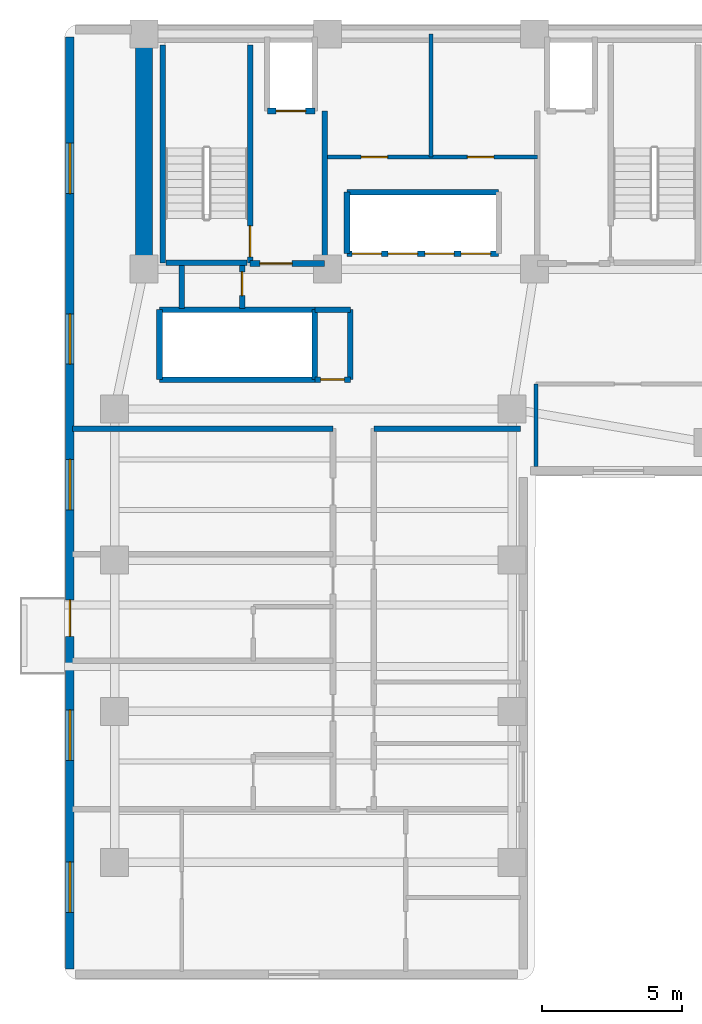
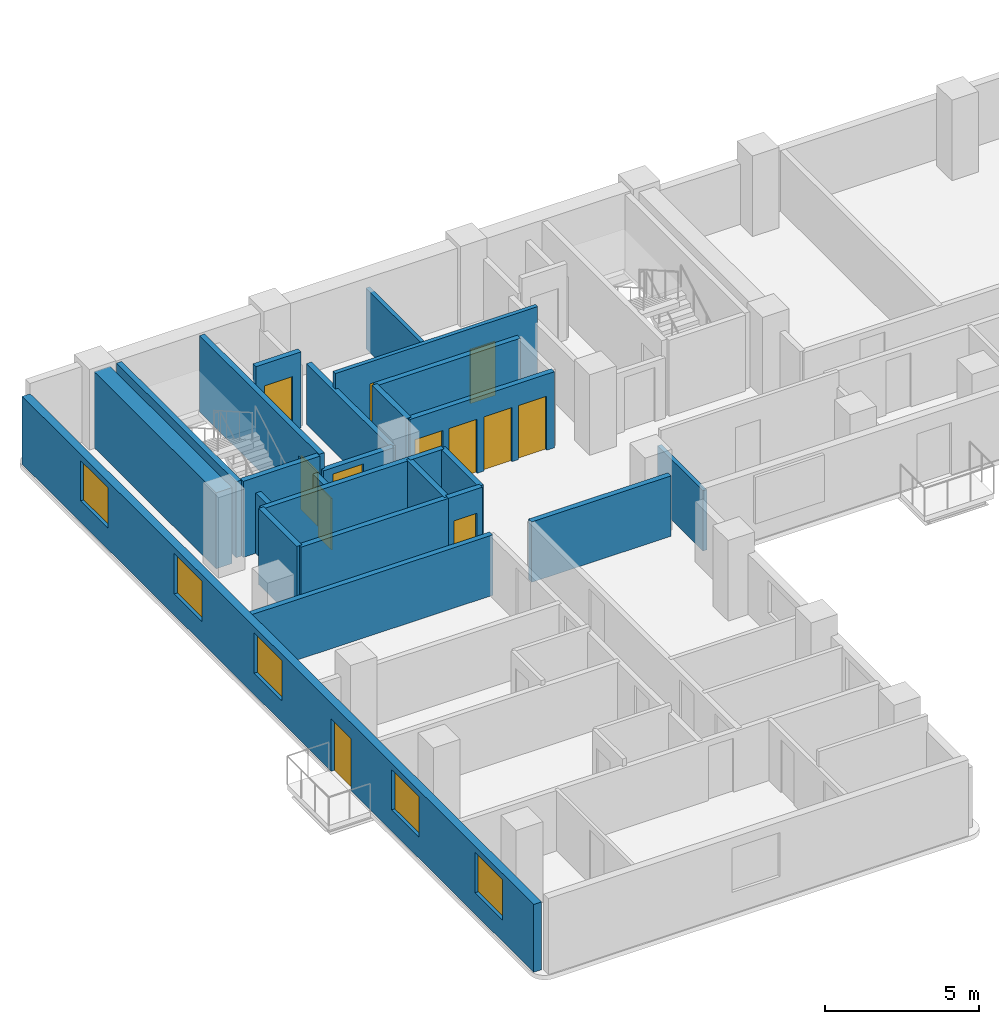
# One storey, part 3 of 7: 25 walls, 12 doors, 5 windows, 17 openings.
"""IFC4 building model written with IfcOpenShell, lengths in metres."""

from ifc_helpers import new_model, si_unit, direction, frame, frame_2d, origin, place, context, subcontext, project, spatial, rectangle, extrude, material, layer, layer_set, type_object, element, fill, save


model = new_model("IFC4")

# Units and contexts
model_context = context("Model", 3, precision=1e-05, world=origin(), true_north=direction((0.0, 1.0)))
body_context = subcontext(model_context, "Body", "Model", "MODEL_VIEW")
ifc_project = project(units=[si_unit("LENGTHUNIT", "METRE"), si_unit("AREAUNIT", "SQUARE_METRE"), si_unit("VOLUMEUNIT", "CUBIC_METRE"), si_unit("PLANEANGLEUNIT", "RADIAN"), si_unit("MASSUNIT", "GRAM", prefix="KILO")], contexts=[model_context])

# Site, building, storey
site_placement = place(None, origin())
site = spatial("IfcSite", under=ifc_project, at=site_placement, CompositionType="ELEMENT")
building_placement = place(site_placement, origin())
building = spatial("IfcBuilding", under=site, at=building_placement, Name="Kuzgunbayir Cultural Tower", CompositionType="ELEMENT")
storey_placement = place(building_placement, frame((0.0, 0.0, 110.60009765625)))
storey = spatial("IfcBuildingStorey", under=building, at=storey_placement, Name="L31", CompositionType="ELEMENT", Elevation=110.60009765625)

# Wall
ifc_material_1 = material(Name="Concrete C60/75", Category="concrete")
ifc_layer_1 = layer(ifc_material_1, 0.60009765625)
ifc_layer_set_1 = layer_set([ifc_layer_1], Name="Concrete C60/75")
wall_type_1 = type_object("IfcWallType", Name="WAL-CORE-600", PredefinedType="SHEAR", material=ifc_layer_set_1)
wall_1_placement = place(storey_placement, frame((6.449951171875, 33.800048828125, 0.0), z_axis=(0.0, 0.0, 1.0), x_axis=(0.0, 1.0, 0.0)))
element("IfcWall", 1, at=wall_1_placement, inside=storey, type_object=wall_type_1, Name="L31 T1 Core West Shear Wall", PredefinedType="SHEAR", context=body_context, shape_type="SweptSolid", body=[
    extrude(rectangle(XDim=7.949951171875, YDim=0.60009765625, at=frame_2d((3.97509765625, 0.0))), origin(), (0.0, 0.0, 1.0), 3.02001953125),
])

# Wall, openings, door, windows
ifc_material_2 = material(Name="Anatolian Cream Limestone", Category="masonry")
ifc_layer_2 = layer(ifc_material_2, 0.300048828125)
ifc_layer_set_2 = layer_set([ifc_layer_2], Name="Anatolian Cream Limestone")
wall_type_2 = type_object("IfcWallType", Name="WAL-EXT-STONE-300", PredefinedType="STANDARD", material=ifc_layer_set_2)
wall_2_placement = place(storey_placement, frame((3.800048828125, 42.10009765625, 0.0), z_axis=(0.0, 0.0, 1.0), x_axis=(0.0, -1.0, 0.0)))
wall_2 = element("IfcWall", 2, at=wall_2_placement, inside=storey, type_object=wall_type_2, Name="L31 Wing A West Limestone Wall", PredefinedType="STANDARD", context=body_context, shape_type="SweptSolid", body=[
    extrude(rectangle(XDim=33.300048828125, YDim=0.300048828125, at=frame_2d((16.64990234375, 0.0))), origin(), (0.0, 0.0, 1.0), 2.699951171875),
])
opening_1_placement = place(wall_2_placement, frame((20.1201171875, 0.0, 0.0)))
opening_1 = element("IfcOpeningElement", 3, at=opening_1_placement, cuts=wall_2, Name="Opening BD-13", PredefinedType="OPENING", context=body_context, shape_type="SweptSolid", body=[
    extrude(rectangle(XDim=1.300048828125, YDim=2.080078125, at=frame_2d((0.64990234375, 1.0400390625))), frame((0.0, 0.16015625, 0.0), z_axis=(0.0, -1.0, 0.0), x_axis=(1.0, 0.0, 0.0)), (0.0, 0.0, 1.0), 0.320068359375),
])
opening_2_placement = place(wall_2_placement, frame((24.050048828125, 0.0, 0.85009765625)))
opening_2 = element("IfcOpeningElement", 4, at=opening_2_placement, cuts=wall_2, Name="Opening WH-18", PredefinedType="OPENING", context=body_context, shape_type="SweptSolid", body=[
    extrude(rectangle(XDim=1.800048828125, YDim=1.60009765625, at=frame_2d((0.89990234375, 0.800048828125))), frame((0.0, 0.16015625, 0.0), z_axis=(0.0, -1.0, 0.0), x_axis=(1.0, 0.0, 0.0)), (0.0, 0.0, 1.0), 0.320068359375),
])
opening_3_placement = place(wall_2_placement, frame((29.47998046875, 0.0, 0.85009765625)))
opening_3 = element("IfcOpeningElement", 5, at=opening_3_placement, cuts=wall_2, Name="Opening WH-18", PredefinedType="OPENING", context=body_context, shape_type="SweptSolid", body=[
    extrude(rectangle(XDim=1.800048828125, YDim=1.60009765625, at=frame_2d((0.89990234375, 0.800048828125))), frame((0.0, 0.16015625, 0.0), z_axis=(0.0, -1.0, 0.0), x_axis=(1.0, 0.0, 0.0)), (0.0, 0.0, 1.0), 0.320068359375),
])
opening_4_placement = place(wall_2_placement, frame((15.10009765625, 0.0, 0.85009765625)))
opening_4 = element("IfcOpeningElement", 6, at=opening_4_placement, cuts=wall_2, Name="Opening WH-18", PredefinedType="OPENING", context=body_context, shape_type="SweptSolid", body=[
    extrude(rectangle(XDim=1.800048828125, YDim=1.60009765625, at=frame_2d((0.89990234375, 0.800048828125))), frame((0.0, 0.16015625, 0.0), z_axis=(0.0, -1.0, 0.0), x_axis=(1.0, 0.0, 0.0)), (0.0, 0.0, 1.0), 0.320068359375),
])
opening_5_placement = place(wall_2_placement, frame((9.89990234375, 0.0, 0.85009765625)))
opening_5 = element("IfcOpeningElement", 7, at=opening_5_placement, cuts=wall_2, Name="Opening WH-18", PredefinedType="OPENING", context=body_context, shape_type="SweptSolid", body=[
    extrude(rectangle(XDim=1.800048828125, YDim=1.60009765625, at=frame_2d((0.89990234375, 0.800048828125))), frame((0.0, 0.16015625, 0.0), z_axis=(0.0, -1.0, 0.0), x_axis=(1.0, 0.0, 0.0)), (0.0, 0.0, 1.0), 0.320068359375),
])
opening_6_placement = place(wall_2_placement, frame((3.800048828125, 0.0, 0.85009765625)))
opening_6 = element("IfcOpeningElement", 8, at=opening_6_placement, cuts=wall_2, Name="Opening WH-18", PredefinedType="OPENING", context=body_context, shape_type="SweptSolid", body=[
    extrude(rectangle(XDim=1.800048828125, YDim=1.60009765625, at=frame_2d((0.89990234375, 0.800048828125))), frame((0.0, 0.16015625, 0.0), z_axis=(0.0, -1.0, 0.0), x_axis=(1.0, 0.0, 0.0)), (0.0, 0.0, 1.0), 0.320068359375),
])
ifc_material_3 = material(Name="Thermally Broken Glazed Aluminium", Category="aluminium")
door_type_1 = type_object("IfcDoorType", Name="DR-BALCONY-135", OperationType="SLIDING_TO_LEFT", PredefinedType="DOOR", material=ifc_material_3)
door_1_placement = place(opening_1_placement, origin())
door_1 = element("IfcDoor", 9, at=door_1_placement, inside=storey, type_object=door_type_1, Name="L31 West Balcony Sliding Door BAL-L31-WA2", OperationType="SLIDING_TO_LEFT", OverallHeight=2.080078125, OverallWidth=1.300048828125, PredefinedType="DOOR", context=body_context, shape_type="SweptSolid", body=[
    extrude(rectangle(XDim=1.300048828125, YDim=2.080078125, at=frame_2d((0.64990234375, 1.0400390625))), frame((0.0, 0.02490234375, 0.0), z_axis=(0.0, -1.0, 0.0), x_axis=(1.0, 0.0, 0.0)), (0.0, 0.0, 1.0), 0.050048828125),
])
fill(opening_1, door_1)
ifc_material_4 = material(Name="Solar-Control Triple Glazing", Category="glass")
window_type = type_object("IfcWindowType", Name="WIN-HOTEL-18", PartitioningType="SINGLE_PANEL", PredefinedType="WINDOW", material=ifc_material_4)
window_1_placement = place(opening_2_placement, origin())
window_1 = element("IfcWindow", 10, at=window_1_placement, inside=storey, type_object=window_type, Name="L31 WAW Facade Window 1", OverallHeight=1.60009765625, OverallWidth=1.800048828125, PartitioningType="SINGLE_PANEL", PredefinedType="WINDOW", context=body_context, shape_type="SweptSolid", body=[
    extrude(rectangle(XDim=1.800048828125, YDim=1.60009765625, at=frame_2d((0.89990234375, 0.800048828125))), frame((0.0, 0.030029296875, 0.0), z_axis=(0.0, -1.0, 0.0), x_axis=(1.0, 0.0, 0.0)), (0.0, 0.0, 1.0), 0.06005859375),
])
fill(opening_2, window_1)
window_2_placement = place(opening_3_placement, origin())
window_2 = element("IfcWindow", 11, at=window_2_placement, inside=storey, type_object=window_type, Name="L31 WAW Facade Window 2", OverallHeight=1.60009765625, OverallWidth=1.800048828125, PartitioningType="SINGLE_PANEL", PredefinedType="WINDOW", context=body_context, shape_type="SweptSolid", body=[
    extrude(rectangle(XDim=1.800048828125, YDim=1.60009765625, at=frame_2d((0.89990234375, 0.800048828125))), frame((0.0, 0.030029296875, 0.0), z_axis=(0.0, -1.0, 0.0), x_axis=(1.0, 0.0, 0.0)), (0.0, 0.0, 1.0), 0.06005859375),
])
fill(opening_3, window_2)
window_3_placement = place(opening_4_placement, origin())
window_3 = element("IfcWindow", 12, at=window_3_placement, inside=storey, type_object=window_type, Name="L31 WAW Facade Window 6", OverallHeight=1.60009765625, OverallWidth=1.800048828125, PartitioningType="SINGLE_PANEL", PredefinedType="WINDOW", context=body_context, shape_type="SweptSolid", body=[
    extrude(rectangle(XDim=1.800048828125, YDim=1.60009765625, at=frame_2d((0.89990234375, 0.800048828125))), frame((0.0, 0.030029296875, 0.0), z_axis=(0.0, -1.0, 0.0), x_axis=(1.0, 0.0, 0.0)), (0.0, 0.0, 1.0), 0.06005859375),
])
fill(opening_4, window_3)
window_4_placement = place(opening_5_placement, origin())
window_4 = element("IfcWindow", 13, at=window_4_placement, inside=storey, type_object=window_type, Name="L31 WAW Facade Window 7", OverallHeight=1.60009765625, OverallWidth=1.800048828125, PartitioningType="SINGLE_PANEL", PredefinedType="WINDOW", context=body_context, shape_type="SweptSolid", body=[
    extrude(rectangle(XDim=1.800048828125, YDim=1.60009765625, at=frame_2d((0.89990234375, 0.800048828125))), frame((0.0, 0.030029296875, 0.0), z_axis=(0.0, -1.0, 0.0), x_axis=(1.0, 0.0, 0.0)), (0.0, 0.0, 1.0), 0.06005859375),
])
fill(opening_5, window_4)
window_5_placement = place(opening_6_placement, origin())
window_5 = element("IfcWindow", 14, at=window_5_placement, inside=storey, type_object=window_type, Name="L31 WAW Facade Window 8", OverallHeight=1.60009765625, OverallWidth=1.800048828125, PartitioningType="SINGLE_PANEL", PredefinedType="WINDOW", context=body_context, shape_type="SweptSolid", body=[
    extrude(rectangle(XDim=1.800048828125, YDim=1.60009765625, at=frame_2d((0.89990234375, 0.800048828125))), frame((0.0, 0.030029296875, 0.0), z_axis=(0.0, -1.0, 0.0), x_axis=(1.0, 0.0, 0.0)), (0.0, 0.0, 1.0), 0.06005859375),
])
fill(opening_6, window_5)

# Wall, openings, doors
ifc_material_5 = material(Name="Acoustic Double-Stud Drywall", Category="gypsum")
ifc_layer_3 = layer(ifc_material_5, 0.14990234375)
ifc_layer_set_3 = layer_set([ifc_layer_3], Name="Acoustic Double-Stud Drywall")
wall_type_3 = type_object("IfcWallType", Name="WAL-PART-ACOUSTIC-150", PredefinedType="PARTITIONING", material=ifc_layer_set_3)
wall_3_placement = place(storey_placement, frame((12.89990234375, 37.800048828125, 0.0), z_axis=(0.0, 0.0, 1.0), x_axis=(1.0, 0.0, 0.0)))
wall_3 = element("IfcWall", 15, at=wall_3_placement, inside=storey, type_object=wall_type_3, Name="L31 Repurposed Core Suite Wall", PredefinedType="PARTITIONING", context=body_context, shape_type="SweptSolid", body=[
    extrude(rectangle(XDim=7.60009765625, YDim=0.14990234375, at=frame_2d((3.800048828125, 0.0))), origin(), (0.0, 0.0, 1.0), 3.02001953125),
])
opening_7_placement = place(wall_3_placement, frame((1.300048828125, 0.0, 0.0)))
opening_7 = element("IfcOpeningElement", 16, at=opening_7_placement, cuts=wall_3, Name="Opening DC-95", PredefinedType="OPENING", context=body_context, shape_type="SweptSolid", body=[
    extrude(rectangle(XDim=0.949951171875, YDim=2.14990234375, at=frame_2d((0.47509765625, 1.074951171875))), frame((0.0, 0.0849609375, 0.0), z_axis=(0.0, -1.0, 0.0), x_axis=(1.0, 0.0, 0.0)), (0.0, 0.0, 1.0), 0.169921875),
])
opening_8_placement = place(wall_3_placement, frame((5.10009765625, 0.0, 0.0)))
opening_8 = element("IfcOpeningElement", 17, at=opening_8_placement, cuts=wall_3, Name="Opening DC-95", PredefinedType="OPENING", context=body_context, shape_type="SweptSolid", body=[
    extrude(rectangle(XDim=0.949951171875, YDim=2.14990234375, at=frame_2d((0.47509765625, 1.074951171875))), frame((0.0, 0.0849609375, 0.0), z_axis=(0.0, -1.0, 0.0), x_axis=(1.0, 0.0, 0.0)), (0.0, 0.0, 1.0), 0.169921875),
])
ifc_material_6 = material(Name="Fire-Rated Veneered Oak Leaf", Category="wood")
door_type_2 = type_object("IfcDoorType", Name="DR-CORE-95", OperationType="NOTDEFINED", PredefinedType="DOOR", material=ifc_material_6)
door_2_placement = place(opening_7_placement, origin())
door_2 = element("IfcDoor", 18, at=door_2_placement, inside=storey, type_object=door_type_2, Name="L31 Focus Room Door", OperationType="SINGLE_SWING_LEFT", OverallHeight=2.14990234375, OverallWidth=0.949951171875, PredefinedType="DOOR", context=body_context, shape_type="SweptSolid", body=[
    extrude(rectangle(XDim=0.949951171875, YDim=2.14990234375, at=frame_2d((0.47509765625, 1.074951171875))), frame((0.0, 0.02490234375, 0.0), z_axis=(0.0, -1.0, 0.0), x_axis=(1.0, 0.0, 0.0)), (0.0, 0.0, 1.0), 0.050048828125),
])
fill(opening_7, door_2)
door_3_placement = place(opening_8_placement, origin())
door_3 = element("IfcDoor", 19, at=door_3_placement, inside=storey, type_object=door_type_2, Name="L31 Core Linen Room Door", OperationType="SINGLE_SWING_RIGHT", OverallHeight=2.14990234375, OverallWidth=0.949951171875, PredefinedType="DOOR", context=body_context, shape_type="SweptSolid", body=[
    extrude(rectangle(XDim=0.949951171875, YDim=2.14990234375, at=frame_2d((0.47509765625, 1.074951171875))), frame((0.0, 0.02490234375, 0.0), z_axis=(0.0, -1.0, 0.0), x_axis=(1.0, 0.0, 0.0)), (0.0, 0.0, 1.0), 0.050048828125),
])
fill(opening_8, door_3)

# Walls
wall_4_placement = place(storey_placement, frame((16.699951171875, 37.800048828125, 0.0), z_axis=(0.0, 0.0, 1.0), x_axis=(0.0, 1.0, 0.0)))
element("IfcWall", 20, at=wall_4_placement, inside=storey, type_object=wall_type_3, Name="L31 Core Study Partition", PredefinedType="PARTITIONING", context=body_context, shape_type="SweptSolid", body=[
    extrude(rectangle(XDim=4.39990234375, YDim=0.14990234375, at=frame_2d((2.199951171875, 0.0))), origin(), (0.0, 0.0, 1.0), 2.39990234375),
])
wall_5_placement = place(storey_placement, frame((20.449951171875, 26.75, 0.0), z_axis=(0.0, 0.0, 1.0), x_axis=(0.0, 1.0, 0.0)))
element("IfcWall", 21, at=wall_5_placement, inside=storey, type_object=wall_type_3, Name="L31 Waist Alcove West Wall", PredefinedType="PARTITIONING", context=body_context, shape_type="SweptSolid", body=[
    extrude(rectangle(XDim=2.949951171875, YDim=0.14990234375, at=frame_2d((1.47509765625, 0.0))), origin(), (0.0, 0.0, 1.0), 2.39990234375),
])
ifc_material_7 = material(Name="Aerated Concrete Blockwork", Category="masonry")
ifc_layer_4 = layer(ifc_material_7, 0.199951171875)
ifc_layer_set_4 = layer_set([ifc_layer_4], Name="Aerated Concrete Blockwork")
wall_type_4 = type_object("IfcWallType", Name="WAL-PART-FIRE-200", PredefinedType="PARTITIONING", material=ifc_layer_set_4)
wall_6_placement = place(storey_placement, frame((12.89990234375, 34.0, 0.0), z_axis=(0.0, 0.0, 1.0), x_axis=(0.0, 1.0, 0.0)))
element("IfcWall", 22, at=wall_6_placement, inside=storey, type_object=wall_type_4, Name="L31 FFL-1 Lobby East Fire Wall", PredefinedType="PARTITIONING", context=body_context, shape_type="SweptSolid", body=[
    extrude(rectangle(XDim=5.449951171875, YDim=0.199951171875, at=frame_2d((2.72509765625, 0.0))), origin(), (0.0, 0.0, 1.0), 2.39990234375),
])

# Wall, opening, door
wall_7_placement = place(storey_placement, frame((10.239990234375, 34.0, 0.0), z_axis=(0.0, 0.0, 1.0), x_axis=(1.0, 0.0, 0.0)))
wall_7 = element("IfcWall", 23, at=wall_7_placement, inside=storey, type_object=wall_type_4, Name="L31 FFL-1 Lobby South Fire Wall", PredefinedType="PARTITIONING", context=body_context, shape_type="SweptSolid", body=[
    extrude(rectangle(XDim=2.659912109375, YDim=0.199951171875, at=frame_2d((1.330078125, 0.0))), origin(), (0.0, 0.0, 1.0), 2.39990234375),
])
opening_9_placement = place(wall_7_placement, frame((0.35009765625, 0.0, 0.0)))
opening_9 = element("IfcOpeningElement", 24, at=opening_9_placement, cuts=wall_7, Name="Opening DR-FFL-90", PredefinedType="OPENING", context=body_context, shape_type="SweptSolid", body=[
    extrude(rectangle(XDim=1.14990234375, YDim=2.14990234375, at=frame_2d((0.574951171875, 1.074951171875))), frame((0.0, 0.10986328125, 0.0), z_axis=(0.0, -1.0, 0.0), x_axis=(1.0, 0.0, 0.0)), (0.0, 0.0, 1.0), 0.219970703125),
])
ifc_material_8 = material(Name="Steel S355J2", Category="steel")
door_type_3 = type_object("IfcDoorType", Name="DR-FFL-90", OperationType="NOTDEFINED", PredefinedType="DOOR", material=ifc_material_8)
door_4_placement = place(opening_9_placement, origin())
door_4 = element("IfcDoor", 25, at=door_4_placement, inside=storey, type_object=door_type_3, Name="L31 Firefighting Lobby 1 Door", OperationType="SINGLE_SWING_LEFT", OverallHeight=2.14990234375, OverallWidth=1.14990234375, PredefinedType="DOOR", context=body_context, shape_type="SweptSolid", body=[
    extrude(rectangle(XDim=1.14990234375, YDim=2.14990234375, at=frame_2d((0.574951171875, 1.074951171875))), frame((0.0, 0.02490234375, 0.0), z_axis=(0.0, -1.0, 0.0), x_axis=(1.0, 0.0, 0.0)), (0.0, 0.0, 1.0), 0.050048828125),
])
fill(opening_9, door_4)

wall_8_placement = place(storey_placement, frame((12.550048828125, 29.85009765625, 0.0), z_axis=(0.0, 0.0, 1.0), x_axis=(1.0, 0.0, 0.0)))
wall_8 = element("IfcWall", 26, at=wall_8_placement, inside=storey, type_object=wall_type_4, Name="L31 Center Core Switchgear South Wall", PredefinedType="PARTITIONING", context=body_context, shape_type="SweptSolid", body=[
    extrude(rectangle(XDim=1.27001953125, YDim=0.199951171875, at=frame_2d((0.635009765625, 0.0))), origin(), (0.0, 0.0, 1.0), 3.02001953125),
])
opening_10_placement = place(wall_8_placement, frame((0.2099609375, 0.0, 0.0)))
opening_10 = element("IfcOpeningElement", 27, at=opening_10_placement, cuts=wall_8, Name="Opening DR-RSR-60", PredefinedType="OPENING", context=body_context, shape_type="SweptSolid", body=[
    extrude(rectangle(XDim=0.85009765625, YDim=2.050048828125, at=frame_2d((0.425048828125, 1.02490234375))), frame((0.0, 0.10986328125, 0.0), z_axis=(0.0, -1.0, 0.0), x_axis=(1.0, 0.0, 0.0)), (0.0, 0.0, 1.0), 0.219970703125),
])
ifc_material_9 = material(Name="Steel Access Leaf", Category="steel")
door_type_4 = type_object("IfcDoorType", Name="DR-RISER-60", OperationType="NOTDEFINED", PredefinedType="DOOR", material=ifc_material_9)
door_5_placement = place(opening_10_placement, origin())
door_5 = element("IfcDoor", 28, at=door_5_placement, inside=storey, type_object=door_type_4, Name="L31 Electrical Switchgear Closet Door", OperationType="SINGLE_SWING_LEFT", OverallHeight=2.050048828125, OverallWidth=0.85009765625, PredefinedType="DOOR", context=body_context, shape_type="SweptSolid", body=[
    extrude(rectangle(XDim=0.85009765625, YDim=2.050048828125, at=frame_2d((0.425048828125, 1.02490234375))), frame((0.0, 0.02490234375, 0.0), z_axis=(0.0, -1.0, 0.0), x_axis=(1.0, 0.0, 0.0)), (0.0, 0.0, 1.0), 0.050048828125),
])
fill(opening_10, door_5)

# Walls
wall_9_placement = place(storey_placement, frame((13.820068359375, 29.85009765625, 0.0), z_axis=(0.0, 0.0, 1.0), x_axis=(0.0, 1.0, 0.0)))
element("IfcWall", 29, at=wall_9_placement, inside=storey, type_object=wall_type_4, Name="L31 Center Core Switchgear East Wall", PredefinedType="PARTITIONING", context=body_context, shape_type="SweptSolid", body=[
    extrude(rectangle(XDim=2.5, YDim=0.199951171875, at=frame_2d((1.25, 0.0))), origin(), (0.0, 0.0, 1.0), 3.02001953125),
])
wall_10_placement = place(storey_placement, frame((12.550048828125, 32.35009765625, 0.0), z_axis=(0.0, 0.0, 1.0), x_axis=(1.0, 0.0, 0.0)))
element("IfcWall", 30, at=wall_10_placement, inside=storey, type_object=wall_type_4, Name="L31 Center Core Switchgear North Wall", PredefinedType="PARTITIONING", context=body_context, shape_type="SweptSolid", body=[
    extrude(rectangle(XDim=1.27001953125, YDim=0.199951171875, at=frame_2d((0.635009765625, 0.0))), origin(), (0.0, 0.0, 1.0), 3.02001953125),
])
wall_11_placement = place(storey_placement, frame((7.800048828125, 32.39990234375, 0.0), z_axis=(0.0, 0.0, 1.0), x_axis=(0.0, 1.0, 0.0)))
element("IfcWall", 31, at=wall_11_placement, inside=storey, type_object=wall_type_4, Name="L31 West Core Electrical Closet West Wall", PredefinedType="PARTITIONING", context=body_context, shape_type="SweptSolid", body=[
    extrude(rectangle(XDim=1.52001953125, YDim=0.199951171875, at=frame_2d((0.760009765625, 0.0))), origin(), (0.0, 0.0, 1.0), 2.39990234375),
])

# Wall, opening, door
wall_12_placement = place(storey_placement, frame((9.949951171875, 32.39990234375, 0.0), z_axis=(0.0, 0.0, 1.0), x_axis=(0.0, 1.0, 0.0)))
wall_12 = element("IfcWall", 32, at=wall_12_placement, inside=storey, type_object=wall_type_4, Name="L31 West Core Electrical Closet East Wall", PredefinedType="PARTITIONING", context=body_context, shape_type="SweptSolid", body=[
    extrude(rectangle(XDim=1.52001953125, YDim=0.199951171875, at=frame_2d((0.760009765625, 0.0))), origin(), (0.0, 0.0, 1.0), 2.39990234375),
])
opening_11_placement = place(wall_12_placement, frame((0.449951171875, 0.0, 0.0)))
opening_11 = element("IfcOpeningElement", 33, at=opening_11_placement, cuts=wall_12, Name="Opening DR-RSR-60", PredefinedType="OPENING", context=body_context, shape_type="SweptSolid", body=[
    extrude(rectangle(XDim=0.85009765625, YDim=2.050048828125, at=frame_2d((0.425048828125, 1.02490234375))), frame((0.0, 0.10986328125, 0.0), z_axis=(0.0, -1.0, 0.0), x_axis=(1.0, 0.0, 0.0)), (0.0, 0.0, 1.0), 0.219970703125),
])
door_6_placement = place(opening_11_placement, origin())
door_6 = element("IfcDoor", 34, at=door_6_placement, inside=storey, type_object=door_type_4, Name="L31 West Core Switchgear Closet Door", OperationType="SINGLE_SWING_RIGHT", OverallHeight=2.050048828125, OverallWidth=0.85009765625, PredefinedType="DOOR", context=body_context, shape_type="SweptSolid", body=[
    extrude(rectangle(XDim=0.85009765625, YDim=2.050048828125, at=frame_2d((0.425048828125, 1.02490234375))), frame((0.0, 0.02490234375, 0.0), z_axis=(0.0, -1.0, 0.0), x_axis=(1.0, 0.0, 0.0)), (0.0, 0.0, 1.0), 0.050048828125),
])
fill(opening_11, door_6)

# Walls
wall_13_placement = place(storey_placement, frame((3.89990234375, 28.10009765625, 0.0), z_axis=(0.0, 0.0, 1.0), x_axis=(1.0, 0.0, 0.0)))
element("IfcWall", 35, at=wall_13_placement, inside=storey, type_object=wall_type_4, Name="L31 North West Partition", PredefinedType="PARTITIONING", context=body_context, shape_type="SweptSolid", body=[
    extrude(rectangle(XDim=9.300048828125, YDim=0.199951171875, at=frame_2d((4.64990234375, 0.0))), origin(), (0.0, 0.0, 1.0), 2.39990234375),
])
wall_14_placement = place(storey_placement, frame((14.659912109375, 28.10009765625, 0.0), z_axis=(0.0, 0.0, 1.0), x_axis=(1.0, 0.0, 0.0)))
element("IfcWall", 36, at=wall_14_placement, inside=storey, type_object=wall_type_4, Name="L31 North East Partition", PredefinedType="PARTITIONING", context=body_context, shape_type="SweptSolid", body=[
    extrude(rectangle(XDim=5.239990234375, YDim=0.199951171875, at=frame_2d((2.6201171875, 0.0))), origin(), (0.0, 0.0, 1.0), 2.39990234375),
])
ifc_material_10 = material(Name="Concrete C40/50", Category="concrete")
ifc_layer_5 = layer(ifc_material_10, 0.199951171875)
ifc_layer_set_5 = layer_set([ifc_layer_5], Name="Concrete C40/50")
wall_type_5 = type_object("IfcWallType", Name="WAL-SHAFT-200", PredefinedType="MOVABLE", material=ifc_layer_set_5)
for number, where, z_axis, x_axis, name in (
    (37, (7.0, 29.85009765625, 0.0), (0.0, 0.0, 1.0), (1.0, 0.0, 0.0), "L31 High-Rise Lift Shaft South Wall"),
    (38, (7.0, 32.35009765625, 0.0), (0.0, 0.0, 1.0), (1.0, 0.0, 0.0), "L31 High-Rise Lift Shaft North Wall"),
):
    element("IfcWall", number, at=place(storey_placement, frame(where, z_axis=z_axis, x_axis=x_axis)), inside=storey, type_object=wall_type_5, Name=name, PredefinedType="MOVABLE", context=body_context, shape_type="SweptSolid", body=[
        extrude(rectangle(XDim=5.550048828125, YDim=0.199951171875, at=frame_2d((2.77490234375, 0.0))), origin(), (0.0, 0.0, 1.0), 3.02001953125),
    ])
for number, where, z_axis, x_axis, name in (
    (39, (7.0, 29.85009765625, 0.0), (0.0, 0.0, 1.0), (0.0, 1.0, 0.0), "L31 High-Rise Lift Shaft West Wall"),
    (40, (12.550048828125, 29.85009765625, 0.0), (0.0, 0.0, 1.0), (0.0, 1.0, 0.0), "L31 High-Rise Lift Shaft East Wall"),
):
    element("IfcWall", number, at=place(storey_placement, frame(where, z_axis=z_axis, x_axis=x_axis)), inside=storey, type_object=wall_type_5, Name=name, PredefinedType="MOVABLE", context=body_context, shape_type="SweptSolid", body=[
        extrude(rectangle(XDim=2.5, YDim=0.199951171875, at=frame_2d((1.25, 0.0))), origin(), (0.0, 0.0, 1.0), 3.02001953125),
    ])

# Wall, opening, door
wall_15_placement = place(storey_placement, frame((10.85009765625, 39.449951171875, 0.0), z_axis=(0.0, 0.0, 1.0), x_axis=(1.0, 0.0, 0.0)))
wall_15 = element("IfcWall", 41, at=wall_15_placement, inside=storey, type_object=wall_type_5, Name="L31 FFL-1 Lift Front Wall", PredefinedType="MOVABLE", context=body_context, shape_type="SweptSolid", body=[
    extrude(rectangle(XDim=1.699951171875, YDim=0.199951171875, at=frame_2d((0.85009765625, 0.0))), origin(), (0.0, 0.0, 1.0), 3.02001953125),
])
opening_12_placement = place(wall_15_placement, frame((0.320068359375, 0.0, 0.0)))
opening_12 = element("IfcOpeningElement", 42, at=opening_12_placement, cuts=wall_15, Name="Opening LD", PredefinedType="OPENING", context=body_context, shape_type="SweptSolid", body=[
    extrude(rectangle(XDim=1.050048828125, YDim=2.14990234375, at=frame_2d((0.52490234375, 1.074951171875))), frame((0.0, 0.10986328125, 0.0), z_axis=(0.0, -1.0, 0.0), x_axis=(1.0, 0.0, 0.0)), (0.0, 0.0, 1.0), 0.219970703125),
])
ifc_material_11 = material(Name="Brushed Stainless Steel", Category="steel")
door_type_5 = type_object("IfcDoorType", Name="DR-LIFT-LANDING", OperationType="SLIDING_TO_LEFT", PredefinedType="DOOR", material=ifc_material_11)
door_7_placement = place(opening_12_placement, origin())
door_7 = element("IfcDoor", 43, at=door_7_placement, inside=storey, type_object=door_type_5, Name="L31 Lift FFL-1 Landing Door", OperationType="SLIDING_TO_LEFT", OverallHeight=2.14990234375, OverallWidth=1.050048828125, PredefinedType="DOOR", context=body_context, shape_type="SweptSolid", body=[
    extrude(rectangle(XDim=1.050048828125, YDim=2.14990234375, at=frame_2d((0.52490234375, 1.074951171875))), frame((0.0, 0.02490234375, 0.0), z_axis=(0.0, -1.0, 0.0), x_axis=(1.0, 0.0, 0.0)), (0.0, 0.0, 1.0), 0.050048828125),
])
fill(opening_12, door_7)

# Wall, openings, doors
wall_16_placement = place(storey_placement, frame((13.699951171875, 34.35009765625, 0.0), z_axis=(0.0, 0.0, 1.0), x_axis=(1.0, 0.0, 0.0)))
wall_16 = element("IfcWall", 44, at=wall_16_placement, inside=storey, type_object=wall_type_5, Name="L31 Mid-Rise Lift Front Wall", PredefinedType="MOVABLE", context=body_context, shape_type="SweptSolid", body=[
    extrude(rectangle(XDim=5.420166015625, YDim=0.199951171875, at=frame_2d((2.7099609375, 0.0))), origin(), (0.0, 0.0, 1.0), 3.02001953125),
])
opening_13_placement = place(wall_16_placement, frame((0.179931640625, 0.0, 0.0)))
opening_13 = element("IfcOpeningElement", 45, at=opening_13_placement, cuts=wall_16, Name="Opening LD", PredefinedType="OPENING", context=body_context, shape_type="SweptSolid", body=[
    extrude(rectangle(XDim=1.050048828125, YDim=2.14990234375, at=frame_2d((0.52490234375, 1.074951171875))), frame((0.0, 0.10986328125, 0.0), z_axis=(0.0, -1.0, 0.0), x_axis=(1.0, 0.0, 0.0)), (0.0, 0.0, 1.0), 0.219970703125),
])
opening_14_placement = place(wall_16_placement, frame((1.469970703125, 0.0, 0.0)))
opening_14 = element("IfcOpeningElement", 46, at=opening_14_placement, cuts=wall_16, Name="Opening LD", PredefinedType="OPENING", context=body_context, shape_type="SweptSolid", body=[
    extrude(rectangle(XDim=1.050048828125, YDim=2.14990234375, at=frame_2d((0.52490234375, 1.074951171875))), frame((0.0, 0.10986328125, 0.0), z_axis=(0.0, -1.0, 0.0), x_axis=(1.0, 0.0, 0.0)), (0.0, 0.0, 1.0), 0.219970703125),
])
opening_15_placement = place(wall_16_placement, frame((2.780029296875, 0.0, 0.0)))
opening_15 = element("IfcOpeningElement", 47, at=opening_15_placement, cuts=wall_16, Name="Opening LD", PredefinedType="OPENING", context=body_context, shape_type="SweptSolid", body=[
    extrude(rectangle(XDim=1.050048828125, YDim=2.14990234375, at=frame_2d((0.52490234375, 1.074951171875))), frame((0.0, 0.10986328125, 0.0), z_axis=(0.0, -1.0, 0.0), x_axis=(1.0, 0.0, 0.0)), (0.0, 0.0, 1.0), 0.219970703125),
])
opening_16_placement = place(wall_16_placement, frame((4.080078125, 0.0, 0.0)))
opening_16 = element("IfcOpeningElement", 48, at=opening_16_placement, cuts=wall_16, Name="Opening LD", PredefinedType="OPENING", context=body_context, shape_type="SweptSolid", body=[
    extrude(rectangle(XDim=1.050048828125, YDim=2.14990234375, at=frame_2d((0.52490234375, 1.074951171875))), frame((0.0, 0.10986328125, 0.0), z_axis=(0.0, -1.0, 0.0), x_axis=(1.0, 0.0, 0.0)), (0.0, 0.0, 1.0), 0.219970703125),
])
door_8_placement = place(opening_13_placement, origin())
door_8 = element("IfcDoor", 49, at=door_8_placement, inside=storey, type_object=door_type_5, Name="L31 Lift PM-1 Landing Door", OperationType="SLIDING_TO_LEFT", OverallHeight=2.14990234375, OverallWidth=1.050048828125, PredefinedType="DOOR", context=body_context, shape_type="SweptSolid", body=[
    extrude(rectangle(XDim=1.050048828125, YDim=2.14990234375, at=frame_2d((0.52490234375, 1.074951171875))), frame((0.0, 0.02490234375, 0.0), z_axis=(0.0, -1.0, 0.0), x_axis=(1.0, 0.0, 0.0)), (0.0, 0.0, 1.0), 0.050048828125),
])
fill(opening_13, door_8)
door_9_placement = place(opening_14_placement, origin())
door_9 = element("IfcDoor", 50, at=door_9_placement, inside=storey, type_object=door_type_5, Name="L31 Lift PM-2 Landing Door", OperationType="SLIDING_TO_LEFT", OverallHeight=2.14990234375, OverallWidth=1.050048828125, PredefinedType="DOOR", context=body_context, shape_type="SweptSolid", body=[
    extrude(rectangle(XDim=1.050048828125, YDim=2.14990234375, at=frame_2d((0.52490234375, 1.074951171875))), frame((0.0, 0.02490234375, 0.0), z_axis=(0.0, -1.0, 0.0), x_axis=(1.0, 0.0, 0.0)), (0.0, 0.0, 1.0), 0.050048828125),
])
fill(opening_14, door_9)
door_10_placement = place(opening_15_placement, origin())
door_10 = element("IfcDoor", 51, at=door_10_placement, inside=storey, type_object=door_type_5, Name="L31 Lift PM-3 Landing Door", OperationType="SLIDING_TO_LEFT", OverallHeight=2.14990234375, OverallWidth=1.050048828125, PredefinedType="DOOR", context=body_context, shape_type="SweptSolid", body=[
    extrude(rectangle(XDim=1.050048828125, YDim=2.14990234375, at=frame_2d((0.52490234375, 1.074951171875))), frame((0.0, 0.02490234375, 0.0), z_axis=(0.0, -1.0, 0.0), x_axis=(1.0, 0.0, 0.0)), (0.0, 0.0, 1.0), 0.050048828125),
])
fill(opening_15, door_10)
door_11_placement = place(opening_16_placement, origin())
door_11 = element("IfcDoor", 52, at=door_11_placement, inside=storey, type_object=door_type_5, Name="L31 Lift PM-4 Landing Door", OperationType="SLIDING_TO_LEFT", OverallHeight=2.14990234375, OverallWidth=1.050048828125, PredefinedType="DOOR", context=body_context, shape_type="SweptSolid", body=[
    extrude(rectangle(XDim=1.050048828125, YDim=2.14990234375, at=frame_2d((0.52490234375, 1.074951171875))), frame((0.0, 0.02490234375, 0.0), z_axis=(0.0, -1.0, 0.0), x_axis=(1.0, 0.0, 0.0)), (0.0, 0.0, 1.0), 0.050048828125),
])
fill(opening_16, door_11)

# Walls
wall_17_placement = place(storey_placement, frame((13.699951171875, 36.550048828125, 0.0), z_axis=(0.0, 0.0, 1.0), x_axis=(1.0, 0.0, 0.0)))
element("IfcWall", 53, at=wall_17_placement, inside=storey, type_object=wall_type_5, Name="L31 Mid-Rise Lift Shaft North Wall", PredefinedType="MOVABLE", context=body_context, shape_type="SweptSolid", body=[
    extrude(rectangle(XDim=5.420166015625, YDim=0.199951171875, at=frame_2d((2.7099609375, 0.0))), origin(), (0.0, 0.0, 1.0), 3.02001953125),
])
wall_18_placement = place(storey_placement, frame((13.699951171875, 34.35009765625, 0.0), z_axis=(0.0, 0.0, 1.0), x_axis=(0.0, 1.0, 0.0)))
element("IfcWall", 54, at=wall_18_placement, inside=storey, type_object=wall_type_5, Name="L31 Mid-Rise Lift Shaft West Wall", PredefinedType="MOVABLE", context=body_context, shape_type="SweptSolid", body=[
    extrude(rectangle(XDim=2.199951171875, YDim=0.199951171875, at=frame_2d((1.10009765625, 0.0))), origin(), (0.0, 0.0, 1.0), 3.02001953125),
])
ifc_layer_6 = layer(ifc_material_10, 0.199951171875)
ifc_layer_set_6 = layer_set([ifc_layer_6], Name="Concrete C40/50")
wall_type_6 = type_object("IfcWallType", Name="WAL-STAIR-RC-200", PredefinedType="SHEAR", material=ifc_layer_set_6)
wall_19_placement = place(storey_placement, frame((7.1201171875, 34.02001953125, 0.0), z_axis=(0.0, 0.0, 1.0), x_axis=(0.0, 1.0, 0.0)))
element("IfcWall", 55, at=wall_19_placement, inside=storey, type_object=wall_type_6, Name="L31 Stair ST-1 West Structural Wall", PredefinedType="SHEAR", context=body_context, shape_type="SweptSolid", body=[
    extrude(rectangle(XDim=7.780029296875, YDim=0.199951171875, at=frame_2d((3.89013671875, 0.0))), origin(), (0.0, 0.0, 1.0), 3.02001953125),
])

# Wall, opening, door
wall_20_placement = place(storey_placement, frame((10.239990234375, 34.02001953125, 0.0), z_axis=(0.0, 0.0, 1.0), x_axis=(0.0, 1.0, 0.0)))
wall_20 = element("IfcWall", 56, at=wall_20_placement, inside=storey, type_object=wall_type_6, Name="L31 Stair ST-1 East Structural Wall", PredefinedType="SHEAR", context=body_context, shape_type="SweptSolid", body=[
    extrude(rectangle(XDim=7.780029296875, YDim=0.199951171875, at=frame_2d((3.89013671875, 0.0))), origin(), (0.0, 0.0, 1.0), 3.02001953125),
])
opening_17_placement = place(wall_20_placement, frame((0.219970703125, 0.0, 0.0)))
opening_17 = element("IfcOpeningElement", 57, at=opening_17_placement, cuts=wall_20, Name="Opening DR-STAIR-90", PredefinedType="OPENING", context=body_context, shape_type="SweptSolid", body=[
    extrude(rectangle(XDim=1.10009765625, YDim=2.14990234375, at=frame_2d((0.550048828125, 1.074951171875))), frame((0.0, 0.10986328125, 0.0), z_axis=(0.0, -1.0, 0.0), x_axis=(1.0, 0.0, 0.0)), (0.0, 0.0, 1.0), 0.219970703125),
])
door_type_6 = type_object("IfcDoorType", Name="DR-STAIR-90", OperationType="NOTDEFINED", PredefinedType="DOOR", material=ifc_material_8)
door_12_placement = place(opening_17_placement, origin())
door_12 = element("IfcDoor", 58, at=door_12_placement, inside=storey, type_object=door_type_6, Name="L31 Stair ST-1 Fire Door", OperationType="SINGLE_SWING_LEFT", OverallHeight=2.14990234375, OverallWidth=1.10009765625, PredefinedType="DOOR", context=body_context, shape_type="SweptSolid", body=[
    extrude(rectangle(XDim=1.10009765625, YDim=2.14990234375, at=frame_2d((0.550048828125, 1.074951171875))), frame((0.0, 0.02490234375, 0.0), z_axis=(0.0, -1.0, 0.0), x_axis=(1.0, 0.0, 0.0)), (0.0, 0.0, 1.0), 0.050048828125),
])
fill(opening_17, door_12)

# Wall
wall_21_placement = place(storey_placement, frame((7.239990234375, 34.02001953125, 0.0), z_axis=(0.0, 0.0, 1.0), x_axis=(1.0, 0.0, 0.0)))
element("IfcWall", 59, at=wall_21_placement, inside=storey, type_object=wall_type_6, Name="L31 Stair ST-1 South Structural Wall", PredefinedType="SHEAR", context=body_context, shape_type="SweptSolid", body=[
    extrude(rectangle(XDim=2.880126953125, YDim=0.199951171875, at=frame_2d((1.43994140625, 0.0))), origin(), (0.0, 0.0, 1.0), 3.02001953125),
])

save(model, "model.ifc")
